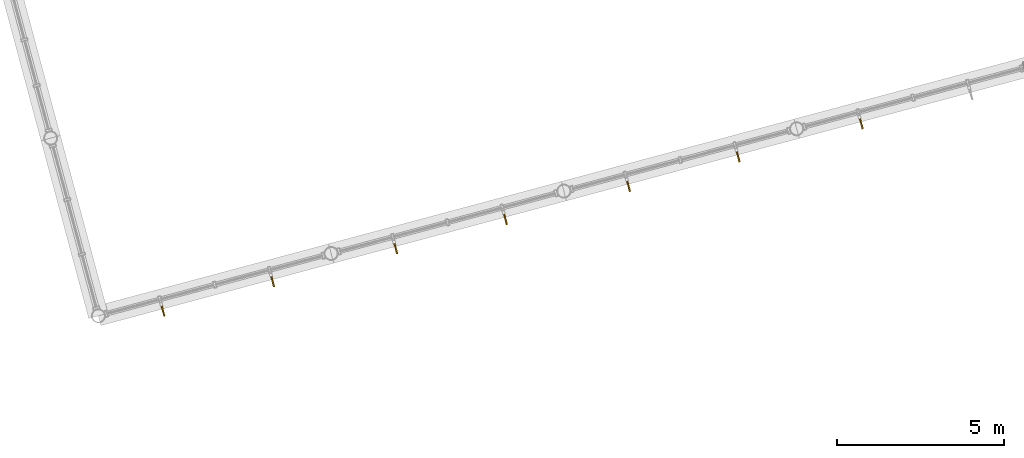
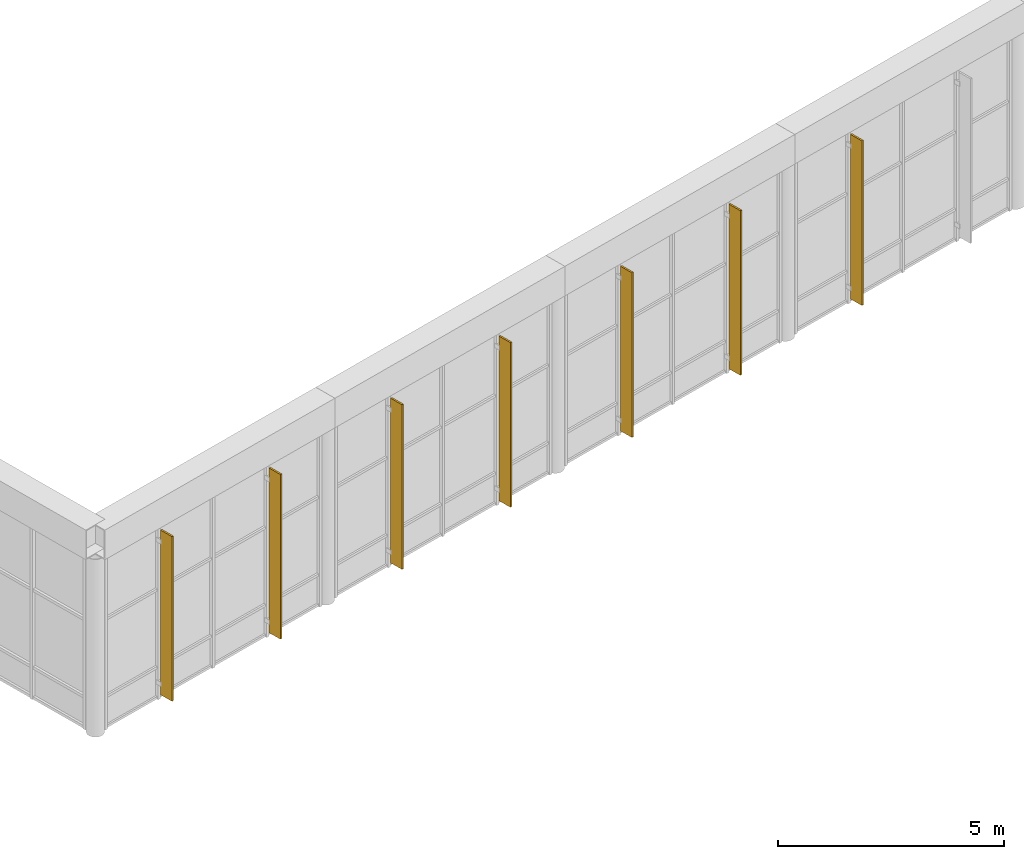
# One storey, part 51 of 55: 7 shading devices.
"""IFC4 building model written with IfcOpenShell, lengths in metres."""

from ifc_helpers import new_model, si_unit, direction, frame, origin, origin_2d, place, context, subcontext, project, spatial, rectangle, extrude, material, type_object, element, save


model = new_model("IFC4")

# Units and contexts
model_context = context("Model", 3, precision=1e-05, world=origin(), true_north=direction((0.0, 1.0)))
body_context = subcontext(model_context, "Body", "Model", "MODEL_VIEW")
ifc_project = project(units=[si_unit("LENGTHUNIT", "METRE"), si_unit("AREAUNIT", "SQUARE_METRE"), si_unit("VOLUMEUNIT", "CUBIC_METRE"), si_unit("PLANEANGLEUNIT", "RADIAN"), si_unit("MASSUNIT", "GRAM", prefix="KILO")], contexts=[model_context])

# Site, building, storey
site_placement = place(None, origin())
site = spatial("IfcSite", under=ifc_project, at=site_placement, CompositionType="ELEMENT")
building_placement = place(site_placement, origin())
building = spatial("IfcBuilding", under=site, at=building_placement, Name="Ventoquebrada Cableway Terminal", CompositionType="ELEMENT")
storey_placement = place(building_placement, frame((0.0, 0.0, 14.39990234375)))
storey = spatial("IfcBuildingStorey", under=building, at=storey_placement, Name="L03", CompositionType="ELEMENT", Elevation=14.39990234375)

# Shading devices
ifc_material = material(Name="Anodized thermally-broken aluminium", Category="aluminium")
shading_device_type = type_object("IfcShadingDeviceType", Name="SHD-AW1", PredefinedType="AWNING", material=ifc_material)
for number, where, z_axis, x_axis, name in (
    (1, (53.905029296875, 69.948974609375, 0.14990234375), (0.0, 0.0, 1.0), (0.965921308897, 0.258835903649, 0.0), "Extruded aluminium sunshade fin FN-082"),
    (2, (57.181884765625, 70.826904296875, 0.14990234375), (0.0, 0.0, 1.0), (0.965921308897, 0.258835903649, 0.0), "Extruded aluminium sunshade fin FN-083"),
    (3, (60.860107421875, 71.81298828125, 0.14990234375), (0.0, 0.0, 1.0), (0.965948408834, 0.258734751187, 0.0), "Extruded aluminium sunshade fin FN-084"),
    (4, (64.135986328125, 72.68994140625, 0.14990234375), (0.0, 0.0, 1.0), (0.965948408834, 0.258734751187, 0.0), "Extruded aluminium sunshade fin FN-085"),
    (5, (67.81396484375, 73.676025390625, 0.14990234375), (0.0, 0.0, 1.0), (0.965921308897, 0.258835903649, 0.0), "Extruded aluminium sunshade fin FN-086"),
    (6, (71.091064453125, 74.553955078125, 0.14990234375), (0.0, 0.0, 1.0), (0.965921308897, 0.258835903649, 0.0), "Extruded aluminium sunshade fin FN-087"),
    (7, (74.76904296875, 75.5400390625, 0.14990234375), (0.0, 0.0, 1.0), (0.965957439792, 0.258701033069, 0.0), "Extruded aluminium sunshade fin FN-088"),
):
    element("IfcShadingDevice", number, at=place(storey_placement, frame(where, z_axis=z_axis, x_axis=x_axis)), inside=storey, type_object=shading_device_type, Name=name, PredefinedType="AWNING", context=body_context, shape_type="SweptSolid", body=[
        extrude(rectangle(XDim=0.044921875, YDim=0.360107421875, at=origin_2d()), origin(), (0.0, 0.0, 1.0), 4.449951171875),
    ])

save(model, "model.ifc")
